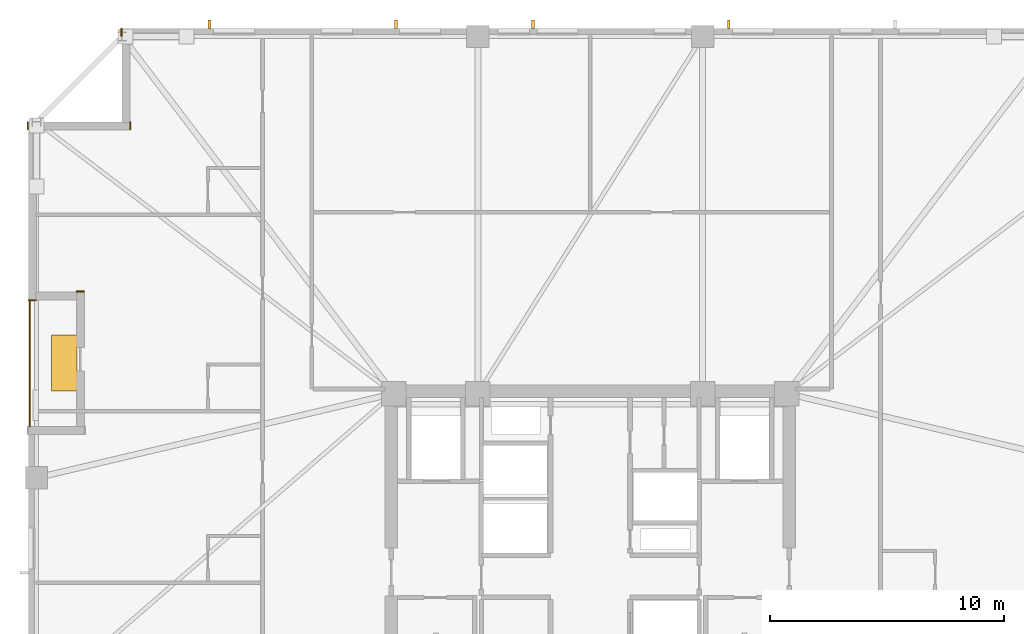
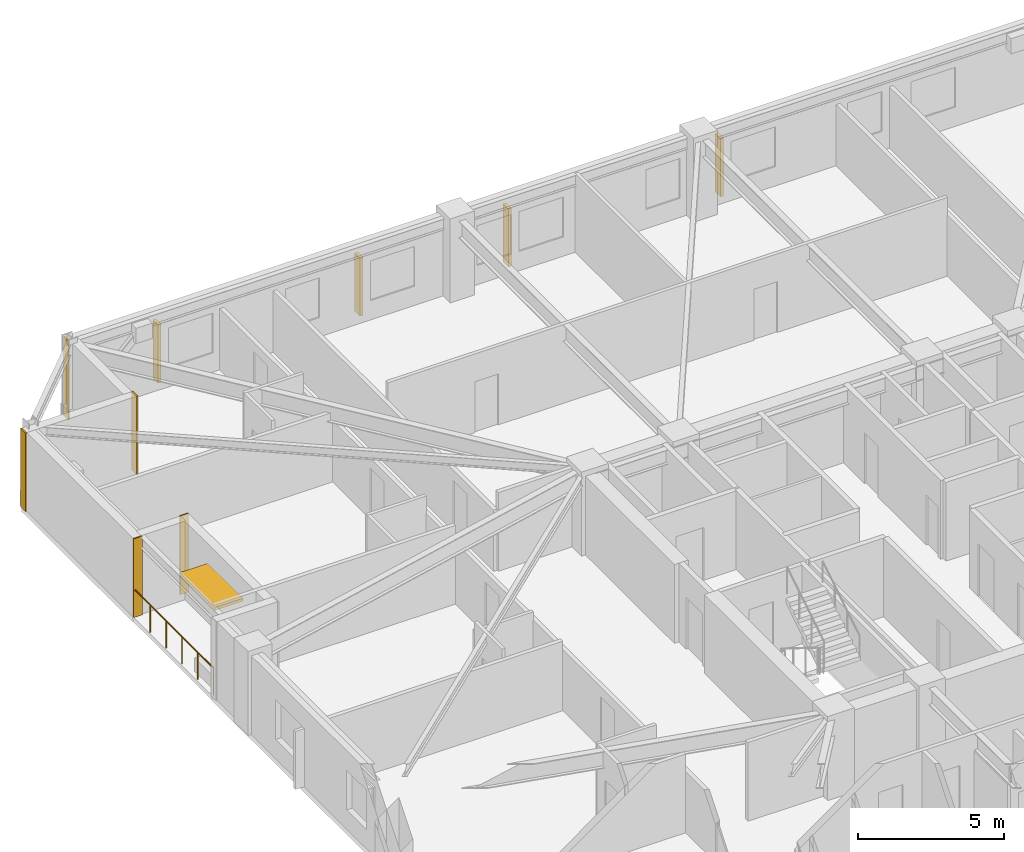
# One storey, part 10 of 11: 5 coverings, 5 shading devices, 1 railing.
"""IFC4 building model written with IfcOpenShell, lengths in metres."""

from ifc_helpers import new_model, si_unit, direction, frame, frame_2d, origin, origin_2d, place, context, subcontext, project, spatial, rectangle, circle, extrude, material, layer, layer_set, type_object, element, save


model = new_model("IFC4")

# Units and contexts
model_context = context("Model", 3, precision=1e-05, world=origin(), true_north=direction((0.0, 1.0)))
body_context = subcontext(model_context, "Body", "Model", "MODEL_VIEW")
ifc_project = project(units=[si_unit("LENGTHUNIT", "METRE"), si_unit("AREAUNIT", "SQUARE_METRE"), si_unit("VOLUMEUNIT", "CUBIC_METRE"), si_unit("PLANEANGLEUNIT", "RADIAN"), si_unit("MASSUNIT", "GRAM", prefix="KILO")], contexts=[model_context])

# Site, building, storey
site_placement = place(None, origin())
site = spatial("IfcSite", under=ifc_project, at=site_placement, CompositionType="ELEMENT")
building_placement = place(site_placement, origin())
building = spatial("IfcBuilding", under=site, at=building_placement, Name="Cairnveth Concourse Tower", CompositionType="ELEMENT")
storey_placement = place(building_placement, frame((0.0, 0.0, 116.5)))
storey = spatial("IfcBuildingStorey", under=building, at=storey_placement, Name="L31", CompositionType="ELEMENT", Elevation=116.5)

# Coverings
ifc_material_1 = material(Name="Dressed Melbourne Bluestone Cladding", Category="masonry")
ifc_layer = layer(ifc_material_1, 0.050048828125)
ifc_layer_set = layer_set([ifc_layer], Name="Dressed Melbourne Bluestone Cladding")
covering_type = type_object("IfcCoveringType", Name="DRESSED BLUESTONE PLINTH CLADDING 50", PredefinedType="CLADDING", material=ifc_layer_set)
for number, where, z_axis, x_axis, name in (
    (1, (28.340087890625, 51.3798828125, 0.0), (0.0, 0.0, 1.0), (-1.0, 0.0, 0.0), "Melbourne Bluestone Corner Quoin L31-435"),
    (2, (27.97998046875, 58.659912109375, 0.0), (0.0, 0.0, 1.0), (0.0, 1.0, 0.0), "Melbourne Bluestone Corner Quoin L31-436"),
    (3, (32.360107421875, 58.659912109375, 0.0), (0.0, 0.0, 1.0), (0.0, 1.0, 0.0), "Melbourne Bluestone Corner Quoin L31-437"),
    (4, (31.97998046875, 62.659912109375, 0.0), (0.0, 0.0, 1.0), (0.0, 1.0, 0.0), "Melbourne Bluestone Corner Quoin L31-438"),
):
    element("IfcCovering", number, at=place(storey_placement, frame(where, z_axis=z_axis, x_axis=x_axis)), inside=storey, type_object=covering_type, Name=name, PredefinedType="CLADDING", context=body_context, shape_type="SweptSolid", body=[
        extrude(rectangle(XDim=0.340087890625, YDim=0.050048828125, at=frame_2d((0.169921875, 0.0))), origin(), (0.0, 0.0, 1.0), 3.280029296875),
    ])
covering_placement = place(storey_placement, frame((30.389892578125, 51.760009765625, 0.0), z_axis=(0.0, 0.0, 1.0), x_axis=(-1.0, 0.0, 0.0)))
element("IfcCovering", 5, at=covering_placement, inside=storey, type_object=covering_type, Name="Melbourne Bluestone Corner Quoin L31-450", PredefinedType="CLADDING", context=body_context, shape_type="SweptSolid", body=[
    extrude(rectangle(XDim=0.33984375, YDim=0.050048828125, at=frame_2d((0.169921875, 0.0))), origin(), (0.0, 0.0, 1.0), 3.280029296875),
])

# Shading devices
ifc_material_2 = material(Name="Architectural Bronze Anodised Aluminium 6063-T6", Category="aluminium")
shading_device_type_1 = type_object("IfcShadingDeviceType", Name="GOTHIC BRONZE VERTICAL LANCET FIN", PredefinedType="USERDEFINED", material=ifc_material_2)
for number, where, z_axis, x_axis, name in (
    (6, (35.74169921875, 63.175048828125, 0.030029296875), (0.0, 0.0, 1.0), (1.0, 0.0, 0.0), "Gothic Bronze Vertical Fin L31-3-1"),
    (7, (43.698974609375, 63.175048828125, 0.030029296875), (0.0, 0.0, 1.0), (1.0, 0.0, 0.0), "Gothic Bronze Vertical Fin L31-3-3"),
    (8, (49.555908203125, 63.175048828125, 0.030029296875), (0.0, 0.0, 1.0), (1.0, 0.0, 0.0), "Gothic Bronze Vertical Fin L31-3-5"),
    (9, (57.9130859375, 63.175048828125, 0.030029296875), (0.0, 0.0, 1.0), (1.0, 0.0, 0.0), "Gothic Bronze Vertical Fin L31-3-7"),
):
    element("IfcShadingDevice", number, at=place(storey_placement, frame(where, z_axis=z_axis, x_axis=x_axis)), inside=storey, type_object=shading_device_type_1, Name=name, ObjectType="VERTICAL FIN", PredefinedType="USERDEFINED", context=body_context, shape_type="SweptSolid", body=[
        extrude(rectangle(XDim=0.1201171875, YDim=0.360107421875, at=origin_2d()), origin(), (0.0, 0.0, 1.0), 2.419921875),
    ])
shading_device_type_2 = type_object("IfcShadingDeviceType", Name="SPIRAL TERRACE SUNSHADE CANOPY", PredefinedType="USERDEFINED", material=ifc_material_2)
shading_device_placement = place(storey_placement, frame((29.530029296875, 48.699951171875, 2.300048828125), z_axis=(0.0, 0.0, 1.0), x_axis=(1.0, 0.0, 0.0)))
element("IfcShadingDevice", 10, at=shading_device_placement, inside=storey, type_object=shading_device_type_2, Name="Spiral Terrace Sunshade L31", ObjectType="TERRACE SUNSHADE", PredefinedType="USERDEFINED", context=body_context, shape_type="SweptSolid", body=[
    extrude(rectangle(XDim=1.10009765625, YDim=2.39990234375, at=origin_2d()), origin(), (0.0, 0.0, 1.0), 0.1201171875),
])

# Railing
railing_type = type_object("IfcRailingType", Name="TERRACE BRONZE BALUSTRADE 1150", PredefinedType="BALUSTRADE", material=ifc_material_2)
railing_placement = place(storey_placement, frame((28.06005859375, 46.0, 0.0)))
element("IfcRailing", 11, at=railing_placement, inside=storey, type_object=railing_type, Name="Terrace Balustrade RL-L31-TERR", PredefinedType="BALUSTRADE", context=body_context, shape_type="SweptSolid", body=[
    extrude(circle(Radius=0.02490234375, at=origin_2d()), frame((0.0, 0.0, 1.125), z_axis=(0.0, 1.0, 0.0), x_axis=(-1.0, 0.0, 0.0)), (0.0, 0.0, 1.0), 5.39990234375),
    extrude(circle(Radius=0.02099609375, at=origin_2d()), origin(), (0.0, 0.0, 1.0), 1.099853515625),
    extrude(circle(Radius=0.02099609375, at=origin_2d()), frame((0.0, 1.080078125, 0.0)), (0.0, 0.0, 1.0), 1.099853515625),
    extrude(circle(Radius=0.02099609375, at=origin_2d()), frame((0.0, 2.159912109375, 0.0)), (0.0, 0.0, 1.0), 1.099853515625),
    extrude(circle(Radius=0.02099609375, at=origin_2d()), frame((0.0, 3.239990234375, 0.0)), (0.0, 0.0, 1.0), 1.099853515625),
    extrude(circle(Radius=0.02099609375, at=origin_2d()), frame((0.0, 4.31982421875, 0.0)), (0.0, 0.0, 1.0), 1.099853515625),
    extrude(circle(Radius=0.02099609375, at=origin_2d()), frame((0.0, 5.39990234375, 0.0)), (0.0, 0.0, 1.0), 1.099853515625),
])

save(model, "model.ifc")
